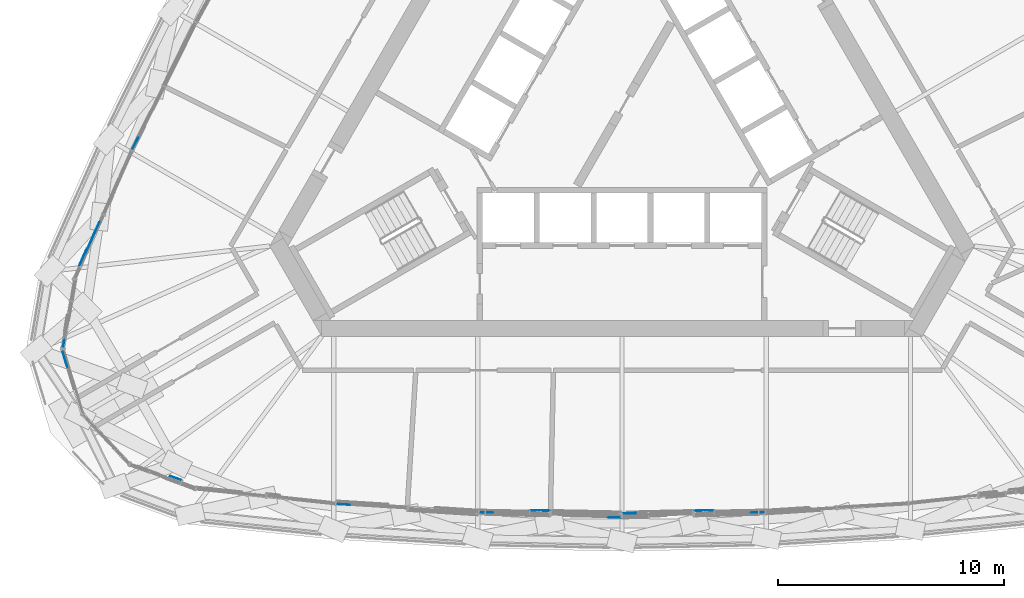
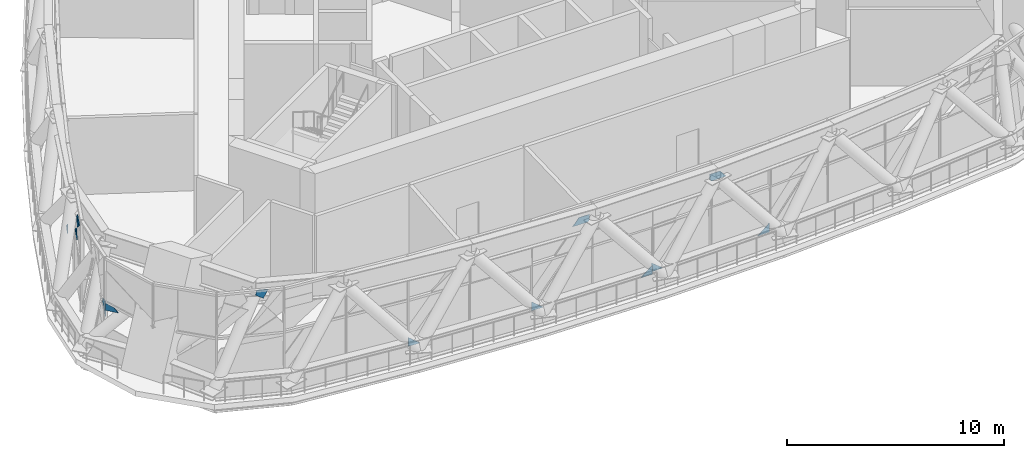
# One storey, part 16 of 33: 14 plates, 3 elements without a shape of their own.
"""IFC4 building model written with IfcOpenShell, lengths in metres."""

import ifcopenshell
import ifcopenshell.guid

model = None  # the IFC model being written
_history = None  # IfcOwnerHistory: only IFC2X3 demands one
_inside = {}  # id of a spatial element -> (the spatial element, [elements in it])
_under = {}  # id of a project, library or spatial element -> (it, [spatial elements below it])
_declared = {}  # id of a project -> (the project, [libraries it declares])
_typed = {}  # id of a type object -> (the type object, [elements of that type])
_made_of = {}  # id of a material, layer set ... -> (it, [elements and type objects made of it])


def new_model(schema):
    """Start an empty IFC model of exactly this schema.

    Asked for "IFC4X3", IfcOpenShell would pick the latest addendum, in which some entities
    have other attributes; the version numbers below select the first issue.
    IFC2X3 requires an IfcOwnerHistory on every rooted entity: one is made here for all.
    """
    global model, _history
    if schema == "IFC4X3":
        model = ifcopenshell.file(schema_version=(4, 3, 0, 0))
    else:
        model = ifcopenshell.file(schema=schema)
    _inside.clear()
    _under.clear()
    _declared.clear()
    _typed.clear()
    _made_of.clear()
    _history = None
    if model.schema == "IFC2X3":
        org = make("IfcOrganization", Name="unknown")
        user = make(
            "IfcPersonAndOrganization",
            ThePerson=make("IfcPerson", FamilyName="unknown"),
            TheOrganization=org,
        )
        app = make(
            "IfcApplication",
            ApplicationDeveloper=org,
            Version="unknown",
            ApplicationFullName="unknown",
            ApplicationIdentifier="unknown",
        )
        _history = make(
            "IfcOwnerHistory",
            OwningUser=user,
            OwningApplication=app,
            ChangeAction="ADDED",
            CreationDate=0,
        )
    return model


def make(cls, **values):
    """One entity of the class cls with the attributes given. An attribute that is None is left unset."""
    return model.create_entity(
        cls, **{name: value for name, value in values.items() if value is not None}
    )


def rooted(cls, **values):
    """An entity with a GlobalId (a new one), such as an element, a storey or a relation."""
    return make(cls, GlobalId=ifcopenshell.guid.new(), OwnerHistory=_history, **values)


def si_unit(unit_type, name, prefix=None):
    """IfcSIUnit, for example si_unit("LENGTHUNIT", "METRE", prefix="MILLI")."""
    return make("IfcSIUnit", UnitType=unit_type, Prefix=prefix, Name=name)


def assignment(units):
    """IfcUnitAssignment: the units of a project."""
    return None if units is None else make("IfcUnitAssignment", Units=units)


def point(xyz):
    """IfcCartesianPoint."""
    return None if xyz is None else make("IfcCartesianPoint", Coordinates=xyz)


def direction(xyz):
    """IfcDirection."""
    return None if xyz is None else make("IfcDirection", DirectionRatios=xyz)


def frame(location, z_axis=None, x_axis=None):
    """IfcAxis2Placement3D, a coordinate frame: its origin and axes. An axis left out is left unset."""
    return make(
        "IfcAxis2Placement3D",
        Location=point(location),
        Axis=direction(z_axis),
        RefDirection=direction(x_axis),
    )


def origin():
    """The frame at (0, 0, 0) with its axes left unset."""
    return frame((0.0, 0.0, 0.0))


def place(relative_to, where):
    """IfcLocalPlacement: puts the frame where relative to a parent placement (None: the world)."""
    return make(
        "IfcLocalPlacement", PlacementRelTo=relative_to, RelativePlacement=where
    )


def context(
    kind, dimensions, precision=None, world=None, true_north=None, identifier=None
):
    """IfcGeometricRepresentationContext, for example the 3D "Model" context."""
    return make(
        "IfcGeometricRepresentationContext",
        ContextIdentifier=identifier,
        ContextType=kind,
        CoordinateSpaceDimension=dimensions,
        Precision=precision,
        WorldCoordinateSystem=world,
        TrueNorth=true_north,
    )


def subcontext(parent, identifier, kind, view, scale=None):
    """IfcGeometricRepresentationSubContext, for example "Body" below "Model"."""
    return make(
        "IfcGeometricRepresentationSubContext",
        ContextIdentifier=identifier,
        ContextType=kind,
        ParentContext=parent,
        TargetScale=scale,
        TargetView=view,
    )


def project(units=None, contexts=None):
    """IfcProject with its units and contexts."""
    return rooted(
        "IfcProject",
        Name="project",
        RepresentationContexts=contexts,
        UnitsInContext=assignment(units),
    )


def spatial(cls, under=None, at=None, **own):
    """A site, building, storey or space (cls), placed at a placement, below another one or the project."""
    s = rooted(cls, ObjectPlacement=at, **own)
    if under is not None:
        _under.setdefault(under.id(), (under, []))[1].append(s)
    return s


def polyline(points):
    """IfcPolyline through the points."""
    return make("IfcPolyline", Points=[point(p) for p in points])


def outline(outer, holes=None, kind="AREA"):
    """IfcArbitraryClosedProfileDef: a profile drawn as a closed curve; with holes, ...WithVoids."""
    if holes is None:
        return make("IfcArbitraryClosedProfileDef", ProfileType=kind, OuterCurve=outer)
    return make(
        "IfcArbitraryProfileDefWithVoids",
        ProfileType=kind,
        OuterCurve=outer,
        InnerCurves=holes,
    )


def extrude(swept, where, along, depth):
    """IfcExtrudedAreaSolid: the profile swept, set in the frame where, extruded along a direction by depth."""
    return make(
        "IfcExtrudedAreaSolid",
        SweptArea=swept,
        Position=where,
        ExtrudedDirection=direction(along),
        Depth=depth,
    )


def shape(context_of_items, identifier, shape_type, items):
    """IfcShapeRepresentation: the items that make up one representation, for example the "Body"."""
    return make(
        "IfcShapeRepresentation",
        ContextOfItems=context_of_items,
        RepresentationIdentifier=identifier,
        RepresentationType=shape_type,
        Items=items,
    )


def material(Name=None, Category=None):
    """IfcMaterial."""
    return make("IfcMaterial", Name=Name, Category=Category)


def layer(
    of_material, thickness, ventilated=None, Name=None, Category=None, Priority=None
):
    """IfcMaterialLayer: one layer of a wall or slab, of a material (None: an air gap)."""
    return make(
        "IfcMaterialLayer",
        Material=of_material,
        LayerThickness=thickness,
        IsVentilated=ventilated,
        Name=Name,
        Category=Category,
        Priority=Priority,
    )


def layer_set(layers, Name=None):
    """IfcMaterialLayerSet."""
    return make("IfcMaterialLayerSet", MaterialLayers=layers, LayerSetName=Name)


def made_of(thing, what):
    """Note that an element or type object is made of a material, layer set ...; save() writes the relation."""
    if what is not None:
        _made_of.setdefault(what.id(), (what, []))[1].append(thing)
    return thing


def type_object(cls, material=None, **own):
    """A type object (cls), such as IfcWallType, which elements share."""
    return made_of(rooted(cls, **own), material)


def element(
    cls,
    number,
    at=None,
    inside=None,
    cuts=None,
    type_object=None,
    material=None,
    context=None,
    identifier="Body",
    shape_type=None,
    held_by="IfcProductDefinitionShape",
    body=None,
    shapes=None,
    **own,
):
    """One element of the class cls, such as IfcWall. Its Tag is "e" and its number.

    at: its placement. inside: the storey or other place that contains it. cuts: it is an
    opening in that element (IfcRelVoidsElement). A single representation is given by context,
    identifier, shape_type and body (its items); several are given by shapes. held_by: the class
    of the entity that holds the representations. save() writes the other relations.
    """
    e = rooted(cls, Tag="e%d" % number, ObjectPlacement=at, **own)
    if body is not None:
        shapes = [shape(context, identifier, shape_type, body)]
    if shapes is not None:
        e.Representation = make(held_by, Representations=shapes)
    if inside is not None:
        _inside.setdefault(inside.id(), (inside, []))[1].append(e)
    if cuts is not None:
        rooted(
            "IfcRelVoidsElement", RelatingBuildingElement=cuts, RelatedOpeningElement=e
        )
    if type_object is not None:
        _typed.setdefault(type_object.id(), (type_object, []))[1].append(e)
    return made_of(e, material)


def aggregate(whole, parts):
    """IfcRelAggregates: a whole, such as a stair, and the parts it consists of."""
    return rooted("IfcRelAggregates", RelatingObject=whole, RelatedObjects=parts)


def save(model, path):
    """Write the relations noted so far, then the file.

    IfcRelAggregates (storeys below a building ...), IfcRelContainedInSpatialStructure (elements
    in a storey), IfcRelDefinesByType, IfcRelAssociatesMaterial and IfcRelDeclares: one each for
    every whole, place, type object, material and project.
    """
    for whole, parts in _under.values():
        aggregate(whole, parts)
    for where, things in _inside.values():
        rooted(
            "IfcRelContainedInSpatialStructure",
            RelatedElements=things,
            RelatingStructure=where,
        )
    for kind, things in _typed.values():
        rooted("IfcRelDefinesByType", RelatedObjects=things, RelatingType=kind)
    for what, things in _made_of.values():
        rooted("IfcRelAssociatesMaterial", RelatedObjects=things, RelatingMaterial=what)
    for by, libraries in _declared.values():
        rooted("IfcRelDeclares", RelatingContext=by, RelatedDefinitions=libraries)
    model.write(path)


model = new_model("IFC4")

# Units and contexts
model_context = context("Model", 3, precision=1e-05, world=origin(), true_north=direction((0.0, 1.0)))
body_context = subcontext(model_context, "Body", "Model", "MODEL_VIEW")
ifc_project = project(units=[si_unit("LENGTHUNIT", "METRE"), si_unit("AREAUNIT", "SQUARE_METRE"), si_unit("VOLUMEUNIT", "CUBIC_METRE"), si_unit("PLANEANGLEUNIT", "RADIAN"), si_unit("MASSUNIT", "GRAM", prefix="KILO")], contexts=[model_context])

# Site, building, storey
site_placement = place(None, origin())
site = spatial("IfcSite", under=ifc_project, at=site_placement, CompositionType="ELEMENT")
building_placement = place(site_placement, origin())
building = spatial("IfcBuilding", under=site, at=building_placement, Name="Mestral Congress Tower", CompositionType="ELEMENT")
storey_placement = place(building_placement, frame((0.0, 0.0, 256.199951171875)))
storey = spatial("IfcBuildingStorey", under=building, at=storey_placement, Name="L60", CompositionType="ELEMENT", Elevation=256.199951171875)

# Curtain wall, plates
ifc_material_1 = material(Name="Clear low-emissivity double glazing", Category="glass")
curtain_wall_type = type_object("IfcCurtainWallType", Name="Facade refuge band screen", PredefinedType="USERDEFINED", material=ifc_material_1)
placement = place(storey_placement, origin())
curtain_wall_1 = element("IfcCurtainWall", 1, at=placement, inside=storey, type_object=curtain_wall_type, Name="Facade refuge band screen face 1", ObjectType="CURTAIN WALL", PredefinedType="USERDEFINED")
ifc_material_2 = material(Name="Anodised aluminium", Category="aluminium")
ifc_layer_1 = layer(ifc_material_2, 0.028076171875)
ifc_layer_set_1 = layer_set([ifc_layer_1], Name="Anodised aluminium")
plate_type_1 = type_object("IfcPlateType", Name="Facade refuge band screen brace cover panel", PredefinedType="CURTAIN_PANEL", material=ifc_layer_set_1)
plate_1_placement = place(storey_placement, frame((-3.756591796875, -18.0908203125, 4.2880859375), z_axis=(-0.020760913365, -0.999781998502, 0.002222599067), x_axis=(0.999784467951, -0.020760964435, 9.4056e-08)))
plate_1 = element("IfcPlate", 2, at=plate_1_placement, type_object=plate_type_1, Name="Facade refuge band screen brace cover panel", PredefinedType="CURTAIN_PANEL", context=body_context, shape_type="SweptSolid", body=[
    extrude(outline(polyline([(0.0, 0.0), (0.5538298190041314, 0.0), (0.5538449974169503, -0.2910165337290314), (0.46471738521089634, -0.40014742949281), (-0.3267114344291862, -0.4001475182367704), (0.0, 0.0)])), origin(), (0.0, 0.0, -1.0), 0.028076171875),
])
plate_2_placement = place(storey_placement, frame((3.202880859375, -18.102294921875, 4.2880859375), z_axis=(0.020760913365, -0.999781998502, 0.002222599067), x_axis=(0.999784467951, 0.020760964435, -9.4056e-08)))
plate_2 = element("IfcPlate", 3, at=plate_2_placement, type_object=plate_type_1, Name="Facade refuge band screen brace cover panel", PredefinedType="CURTAIN_PANEL", context=body_context, shape_type="SweptSolid", body=[
    extrude(outline(polyline([(0.0, 0.0), (0.5538298190041314, 0.0), (0.8805412534333176, -0.4001475182367704), (0.08911243379323514, -0.40014742949281), (-1.5178412818786507e-05, -0.2910165337290314), (0.0, 0.0)])), origin(), (0.0, 0.0, -1.0), 0.028076171875),
])

# Curtain wall, plate
curtain_wall_2 = element("IfcCurtainWall", 4, at=placement, inside=storey, type_object=curtain_wall_type, Name="Facade refuge band screen corner 3", ObjectType="CURTAIN WALL", PredefinedType="USERDEFINED")
plate_3_placement = place(storey_placement, frame((-24.603759765625, -11.727294921875, 2.375244140625), z_axis=(-0.957355669708, -0.288904046569, 0.002138586762), x_axis=(-0.277555525228, 0.917644151381, -0.284415438843)))
plate_3 = element("IfcPlate", 5, at=plate_3_placement, type_object=plate_type_1, Name="Facade refuge band screen brace cover panel", PredefinedType="CURTAIN_PANEL", context=body_context, shape_type="SweptSolid", body=[
    extrude(outline(polyline([(0.0, 0.0), (0.8412258346801248, 0.0), (0.7263277453956217, -0.3873727258687657), (0.20164016502191015, -0.23171480770963768), (0.0, 0.0)])), origin(), (0.0, 0.0, -1.0), 0.028076171875),
])

# Plate
ifc_layer_2 = layer(ifc_material_1, 0.028076171875)
ifc_layer_set_2 = layer_set([ifc_layer_2], Name="Clear low-emissivity double glazing")
plate_type_2 = type_object("IfcPlateType", Name="Facade refuge band screen panel", PredefinedType="CURTAIN_PANEL", material=ifc_layer_set_2)
plate_4_placement = place(storey_placement, frame((-12.6630859375, -17.80419921875, 0.0), z_axis=(-0.062078948199, -0.998069283298, 0.001977353706), x_axis=(0.0, 0.001981174913, 0.999998037471)))
plate_4 = element("IfcPlate", 6, at=plate_4_placement, type_object=plate_type_2, Name="Refuge screen glass unit", PredefinedType="CURTAIN_PANEL", context=body_context, shape_type="SweptSolid", body=[
    extrude(outline(polyline([(0.0, 0.0), (0.49292088924651245, 6.776263578034403e-21), (-7.497121864166089e-05, -0.6095741585094356), (0.0, 0.0)])), origin(), (0.0, 0.0, -1.0), 0.028076171875),
])

plate_5_placement = place(storey_placement, frame((-6.32080078125, -18.168212890625, 0.0), z_axis=(-0.020704402412, -0.999783739526, 0.001949846396), x_axis=(0.0, 0.001950264453, 0.999998098232)))
plate_5 = element("IfcPlate", 7, at=plate_5_placement, type_object=plate_type_2, Name="Refuge screen glass unit", PredefinedType="CURTAIN_PANEL", context=body_context, shape_type="SweptSolid", body=[
    extrude(outline(polyline([(0.0, 0.0), (0.5007333741534704, 0.0), (-2.475921668740507e-05, -0.6131685476419266), (0.0, 0.0)])), origin(), (0.0, 0.0, -1.0), 0.028076171875),
])

plate_6_placement = place(storey_placement, frame((-0.03271484375, -18.406982421875, 0.0), z_axis=(-0.020920933588, -0.999779230111, 0.001950788742), x_axis=(-0.999781132485, 0.020920973396, 0.0)))
plate_6 = element("IfcPlate", 8, at=plate_6_placement, type_object=plate_type_2, Name="Refuge screen glass unit", PredefinedType="CURTAIN_PANEL", context=body_context, shape_type="SweptSolid", body=[
    extrude(outline(polyline([(0.0, 0.0), (0.6068222668068338, 3.3881317890172014e-21), (2.043063808208567e-05, -0.5004892335759927), (0.0, 0.0)])), origin(), (0.0, 0.0, -1.0), 0.028076171875),
])

plate_7_placement = place(storey_placement, frame((0.02880859375, -18.222900390625, 0.0), z_axis=(0.020912521769, -0.999779406097, 0.001950789085), x_axis=(0.0, 0.001951215798, 0.999998096377)))
plate_7 = element("IfcPlate", 9, at=plate_7_placement, type_object=plate_type_2, Name="Refuge screen glass unit", PredefinedType="CURTAIN_PANEL", context=body_context, shape_type="SweptSolid", body=[
    extrude(outline(polyline([(0.0, 0.0), (0.5004892339929956, 3.3881317890172014e-21), (2.477129430811045e-05, -0.6070663535134736), (0.0, 0.0)])), origin(), (0.0, 0.0, -1.0), 0.028076171875),
])

plate_8_placement = place(storey_placement, frame((6.32080078125, -18.168212890625, 0.0), z_axis=(0.020704402412, -0.999783739526, 0.001949846396), x_axis=(-0.99978564007, -0.02070444177, 0.0)))
plate_8 = element("IfcPlate", 10, at=plate_8_placement, type_object=plate_type_2, Name="Refuge screen glass unit", PredefinedType="CURTAIN_PANEL", context=body_context, shape_type="SweptSolid", body=[
    extrude(outline(polyline([(0.0, 0.0), (0.6131685481418045, 0.0), (-2.0219181415701184e-05, -0.500733373745254), (0.0, 0.0)])), origin(), (0.0, 0.0, -1.0), 0.028076171875),
])

aggregate(curtain_wall_1, [plate_4, plate_5, plate_1, plate_6, plate_7, plate_8, plate_2])

# Curtain wall, plates
curtain_wall_3 = element("IfcCurtainWall", 11, at=placement, inside=storey, type_object=curtain_wall_type, Name="Facade refuge band screen face 3", ObjectType="CURTAIN WALL", PredefinedType="USERDEFINED")
plate_9_placement = place(storey_placement, frame((-21.730712890625, -2.07421875, 0.0), z_axis=(-0.895544408571, 0.444968621611, 0.001771456399), x_axis=(0.444969319782, 0.89554581371, 0.0)))
plate_9 = element("IfcPlate", 12, at=plate_9_placement, type_object=plate_type_2, Name="Refuge screen glass unit", PredefinedType="CURTAIN_PANEL", context=body_context, shape_type="SweptSolid", body=[
    extrude(outline(polyline([(0.0, 0.0), (0.6095706430010769, 5.421010862427522e-20), (-0.00011137296583859594, -0.4929206952824163), (0.0, 0.0)])), origin(), (0.0, 0.0, -1.0), 0.028076171875),
])
plate_10_placement = place(storey_placement, frame((-23.79541015625, -6.66162109375, 3.887939453125), z_axis=(-0.913151130959, 0.407616090877, 0.002033343537), x_axis=(0.317763725805, 0.714968383061, -0.622773173624)))
plate_10 = element("IfcPlate", 13, at=plate_10_placement, type_object=plate_type_2, Name="Refuge screen glass unit", PredefinedType="CURTAIN_PANEL", context=body_context, shape_type="SweptSolid", body=[
    extrude(outline(polyline([(0.0, 0.0), (0.6699651587380362, 0.0), (0.6710586494656948, -0.534148049771722), (0.0, 0.0)])), origin(), (0.0, 0.0, -1.0), 0.028076171875),
])
plate_11_placement = place(storey_placement, frame((-24.077880859375, -7.222900390625, 4.387939453125), z_axis=(-0.913089302324, 0.407755418952, 0.001855881922), x_axis=(0.317921818973, 0.714759600487, -0.622932123535)))
plate_11 = element("IfcPlate", 14, at=plate_11_placement, type_object=plate_type_2, Name="Refuge screen glass unit", PredefinedType="CURTAIN_PANEL", context=body_context, shape_type="SweptSolid", body=[
    extrude(outline(polyline([(0.0, 0.0), (0.802655847405305, 5.551115123125783e-17), (0.962268375589282, -0.12710114626185826), (0.6506861630052129, -0.5181475578968273), (0.0, 0.0)])), origin(), (0.0, 0.0, -1.0), 0.028076171875),
])
plate_12_placement = place(storey_placement, frame((-23.1689453125, -5.252197265625, 2.66015625), z_axis=(-0.913096847098, 0.407736819325, 0.002198632804), x_axis=(-0.317707135907, -0.714841055791, 0.622948184643)))
plate_12 = element("IfcPlate", 15, at=plate_12_placement, type_object=plate_type_2, Name="Refuge screen glass unit", PredefinedType="CURTAIN_PANEL", context=body_context, shape_type="SweptSolid", body=[
    extrude(outline(polyline([(0.0, 0.0), (0.6854534031106698, 0.0), (0.6866654900880687, -0.546822046804586), (0.0, 0.0)])), origin(), (0.0, 0.0, -1.0), 0.028076171875),
])
aggregate(curtain_wall_3, [plate_9, plate_10, plate_11, plate_12])

# Plate
plate_13_placement = place(storey_placement, frame((-24.73291015625, -10.502197265625, 2.406005859375), z_axis=(-0.985853070399, 0.167599602899, 0.002024028686), x_axis=(-0.05696784167, -0.346403740232, 0.936354160438)))
plate_13 = element("IfcPlate", 16, at=plate_13_placement, type_object=plate_type_2, Name="Refuge screen glass unit", PredefinedType="CURTAIN_PANEL", context=body_context, shape_type="SweptSolid", body=[
    extrude(outline(polyline([(0.0, 0.0), (0.14314338378029812, 0.0), (0.25902007273206673, -0.3090756791606851), (-0.4897235571561216, -0.5895809052640479), (0.0, 0.0)])), origin(), (0.0, 0.0, -1.0), 0.028076171875),
])

plate_14_placement = place(storey_placement, frame((-19.50830078125, -16.7548828125, 4.97998046875), z_axis=(-0.347597518528, -0.937641239432, 0.002207086382), x_axis=(-0.413432378584, 0.15115197282, -0.897901302734)))
plate_14 = element("IfcPlate", 17, at=plate_14_placement, type_object=plate_type_2, Name="Refuge screen glass unit", PredefinedType="CURTAIN_PANEL", context=body_context, shape_type="SweptSolid", body=[
    extrude(outline(polyline([(0.0, 0.0), (0.5421711875143471, 2.7755575615628914e-17), (0.5165873347387204, -0.4064876612782289), (0.24414575803529345, -0.49800844677119327), (0.0, 0.0)])), origin(), (0.0, 0.0, -1.0), 0.028076171875),
])

aggregate(curtain_wall_2, [plate_13, plate_3, plate_14])

save(model, "model.ifc")
